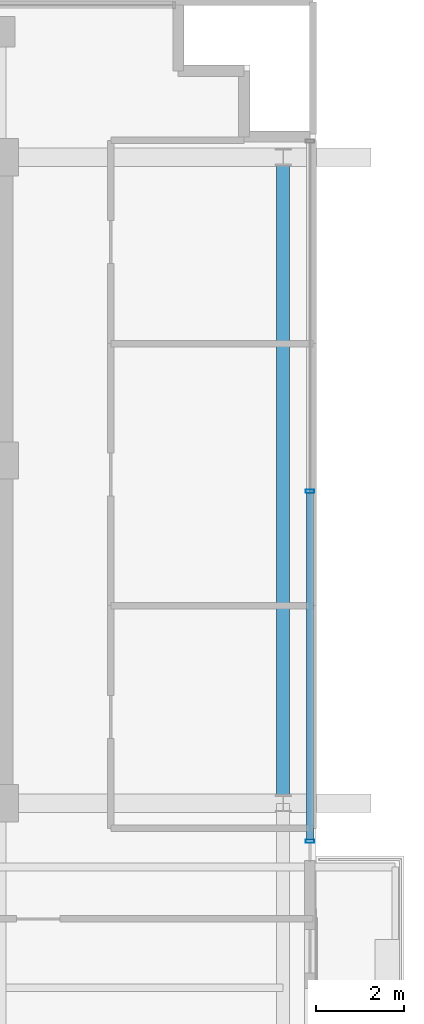
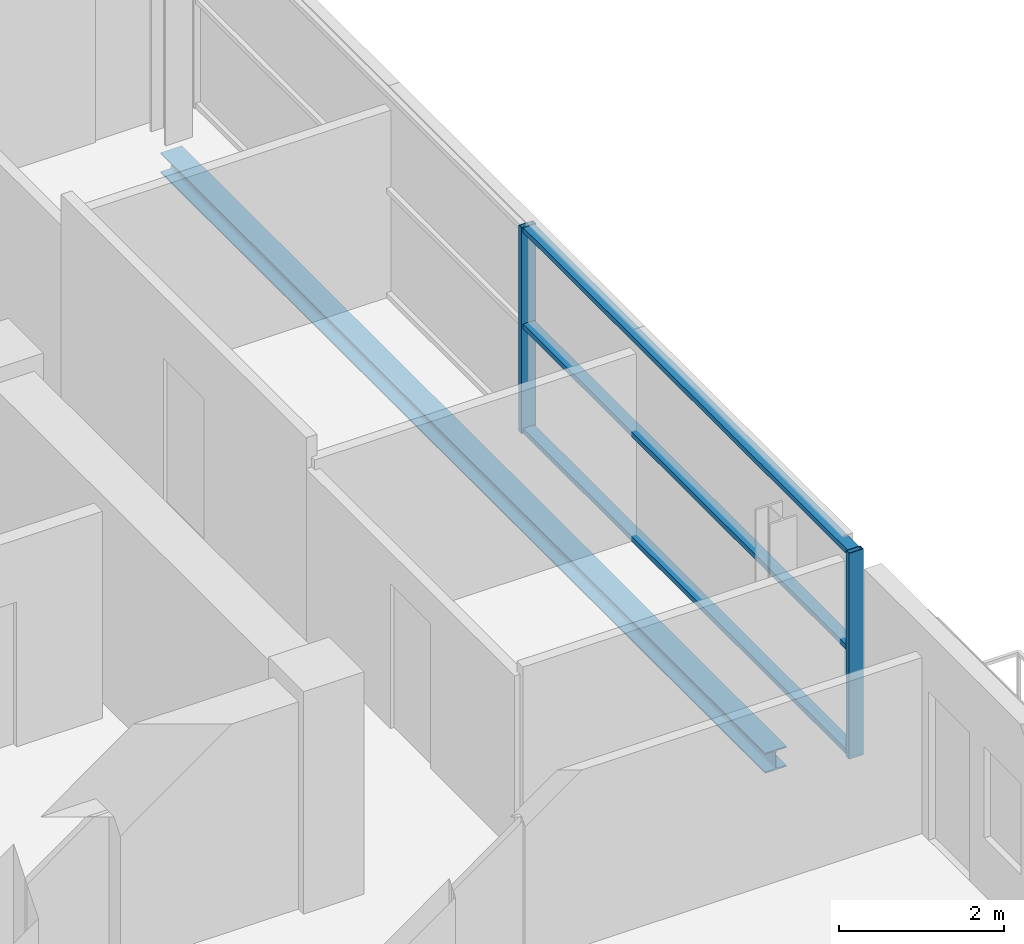
# One storey, part 15 of 29: 5 members, 1 beam, 1 element without a shape of its own.
"""IFC4 building model written with IfcOpenShell, lengths in metres."""

from ifc_helpers import new_model, si_unit, direction, frame, origin, origin_2d, place, context, subcontext, project, spatial, hollow_rectangle, i_section, extrude, source, transform, mapped, material, layer, layer_set, material_profile, profile_set, type_object, element, aggregate, save


model = new_model("IFC4")

# Units and contexts
model_context = context("Model", 3, precision=1e-05, world=origin(), true_north=direction((0.0, 1.0)))
body_context = subcontext(model_context, "Body", "Model", "MODEL_VIEW")
ifc_project = project(units=[si_unit("LENGTHUNIT", "METRE"), si_unit("AREAUNIT", "SQUARE_METRE"), si_unit("VOLUMEUNIT", "CUBIC_METRE"), si_unit("PLANEANGLEUNIT", "RADIAN"), si_unit("MASSUNIT", "GRAM", prefix="KILO")], contexts=[model_context])

# Site, building, storey
site_placement = place(None, origin())
site = spatial("IfcSite", under=ifc_project, at=site_placement, CompositionType="ELEMENT")
building_placement = place(site_placement, origin())
building = spatial("IfcBuilding", under=site, at=building_placement, Name="Zarnakvel Exchange Tower", CompositionType="ELEMENT")
storey_placement = place(building_placement, frame((0.0, 0.0, 258.39990234375)))
storey = spatial("IfcBuildingStorey", under=building, at=storey_placement, Name="L73", CompositionType="ELEMENT", Elevation=258.39990234375)

# Beam
ifc_material_1 = material(Name="Steel S355", Category="steel")
ifc_material_profile_1 = material_profile(ifc_material_1, i_section(OverallWidth=0.300048828125, OverallDepth=0.300048828125, WebThickness=0.010986328125, FlangeThickness=0.01904296875, FilletRadius=0.027099609375, at=origin_2d()))
ifc_profile_set_1 = profile_set([ifc_material_profile_1], Name="Steel S355")
beam_type = type_object("IfcBeamType", Name="SP-03", PredefinedType="SPANDREL", material=ifc_profile_set_1)
beam_placement = place(storey_placement, frame((20.85009765625, -1.199951171875, -0.375), z_axis=(0.0, 1.0, 0.0), x_axis=(-1.0, 0.0, 0.0)))
element("IfcBeam", 1, at=beam_placement, inside=storey, type_object=beam_type, Name="L73 Tower N-S Frame Beam", PredefinedType="SPANDREL", context=body_context, shape_type="SweptSolid", body=[
    extrude(i_section(OverallWidth=0.300048828125, OverallDepth=0.300048828125, WebThickness=0.010986328125, FlangeThickness=0.01904296875, FilletRadius=0.027099609375, at=origin_2d()), origin(), (0.0, 0.0, 1.0), 14.699951171875),
])

# Curtain wall, members
ifc_material_2 = material(Name="Architectural Bronze Anodised Aluminium", Category="aluminium")
ifc_layer = layer(ifc_material_2, 0.199951171875)
ifc_layer_set = layer_set([ifc_layer], Name="Architectural Bronze Anodised Aluminium")
curtain_wall_type = type_object("IfcCurtainWallType", Name="CW-04", PredefinedType="NOTDEFINED", material=ifc_layer_set)
curtain_wall_placement = place(storey_placement, origin())
curtain_wall = element("IfcCurtainWall", 2, at=curtain_wall_placement, inside=storey, type_object=curtain_wall_type, Name="L73 Curtain Wall CW-L73-EN (CW-04)", PredefinedType="NOTDEFINED")
ifc_material_profile_2 = material_profile(ifc_material_2, hollow_rectangle(XDim=0.199951171875, YDim=0.074951171875, WallThickness=0.0048828125, at=origin_2d()))
ifc_profile_set_2 = profile_set([ifc_material_profile_2], Name="Architectural Bronze Anodised Aluminium")
member_type_1 = type_object("IfcMemberType", Name="CWM-04", PredefinedType="MULLION", material=ifc_profile_set_2)
shared_shape_1 = source(origin(), body_context, "Body", "SweptSolid", [
    extrude(hollow_rectangle(XDim=0.199951171875, YDim=0.074951171875, WallThickness=0.0048828125, at=origin_2d()), origin(), (0.0, 0.0, 1.0), 3.05517578125),
])
member_1_placement = place(storey_placement, frame((21.4599609375, -2.0625, 0.0), z_axis=(0.0, 0.0, 1.0), x_axis=(-1.0, 0.0, 0.0)))
member_1 = element("IfcMember", 3, at=member_1_placement, type_object=member_type_1, Name="CW-04 mullion 1", PredefinedType="MULLION", context=body_context, shape_type="MappedRepresentation", body=[
    mapped(shared_shape_1, transform((0.0, 0.0, 0.0), x_axis=(1.0, 0.0, 0.0), y_axis=(0.0, 1.0, 0.0), z_axis=(0.0, 0.0, 1.0), scale=1.0)),
])
member_2_placement = place(storey_placement, frame((21.4599609375, 5.89990234375, 0.0), z_axis=(0.0, 0.0, 1.0), x_axis=(-1.0, 0.0, 0.0)))
member_2 = element("IfcMember", 4, at=member_2_placement, type_object=member_type_1, Name="CW-04 mullion 2", PredefinedType="MULLION", context=body_context, shape_type="MappedRepresentation", body=[
    mapped(shared_shape_1, transform((0.0, 0.0, 0.0), x_axis=(1.0, 0.0, 0.0), y_axis=(0.0, 1.0, 0.0), z_axis=(0.0, 0.0, 1.0), scale=1.0)),
])
ifc_material_profile_3 = material_profile(ifc_material_2, hollow_rectangle(XDim=0.159912109375, YDim=0.074951171875, WallThickness=0.00390625, at=origin_2d()))
ifc_profile_set_3 = profile_set([ifc_material_profile_3], Name="Architectural Bronze Anodised Aluminium")
member_type_2 = type_object("IfcMemberType", Name="CWT-04", PredefinedType="USERDEFINED", material=ifc_profile_set_3)
shared_shape_2 = source(origin(), body_context, "Body", "SweptSolid", [
    extrude(hollow_rectangle(XDim=0.159912109375, YDim=0.074951171875, WallThickness=0.00390625, at=origin_2d()), origin(), (0.0, 0.0, 1.0), 7.887451171875),
])
member_3_placement = place(storey_placement, frame((21.4599609375, -2.02490234375, 0.03759765625), z_axis=(0.0, 1.0, 0.0), x_axis=(-1.0, 0.0, 0.0)))
member_3 = element("IfcMember", 5, at=member_3_placement, type_object=member_type_2, Name="CW-04 transom 1.1", ObjectType="TRANSOM", PredefinedType="USERDEFINED", context=body_context, shape_type="MappedRepresentation", body=[
    mapped(shared_shape_2, transform((0.0, 0.0, 0.0), x_axis=(1.0, 0.0, 0.0), y_axis=(0.0, 1.0, 0.0), z_axis=(0.0, 0.0, 1.0), scale=1.0)),
])
member_4_placement = place(storey_placement, frame((21.4599609375, -2.02490234375, 1.588623046875), z_axis=(0.0, 1.0, 0.0), x_axis=(-1.0, 0.0, 0.0)))
member_4 = element("IfcMember", 6, at=member_4_placement, type_object=member_type_2, Name="CW-04 transom 1.2", ObjectType="TRANSOM", PredefinedType="USERDEFINED", context=body_context, shape_type="MappedRepresentation", body=[
    mapped(shared_shape_2, transform((0.0, 0.0, 0.0), x_axis=(1.0, 0.0, 0.0), y_axis=(0.0, 1.0, 0.0), z_axis=(0.0, 0.0, 1.0), scale=1.0)),
])
member_5_placement = place(storey_placement, frame((21.4599609375, -2.02490234375, 3.017578125), z_axis=(0.0, 1.0, 0.0), x_axis=(-1.0, 0.0, 0.0)))
member_5 = element("IfcMember", 7, at=member_5_placement, type_object=member_type_2, Name="CW-04 transom 1.3", ObjectType="TRANSOM", PredefinedType="USERDEFINED", context=body_context, shape_type="MappedRepresentation", body=[
    mapped(shared_shape_2, transform((0.0, 0.0, 0.0), x_axis=(1.0, 0.0, 0.0), y_axis=(0.0, 1.0, 0.0), z_axis=(0.0, 0.0, 1.0), scale=1.0)),
])
aggregate(curtain_wall, [member_1, member_2, member_3, member_4, member_5])

save(model, "model.ifc")
